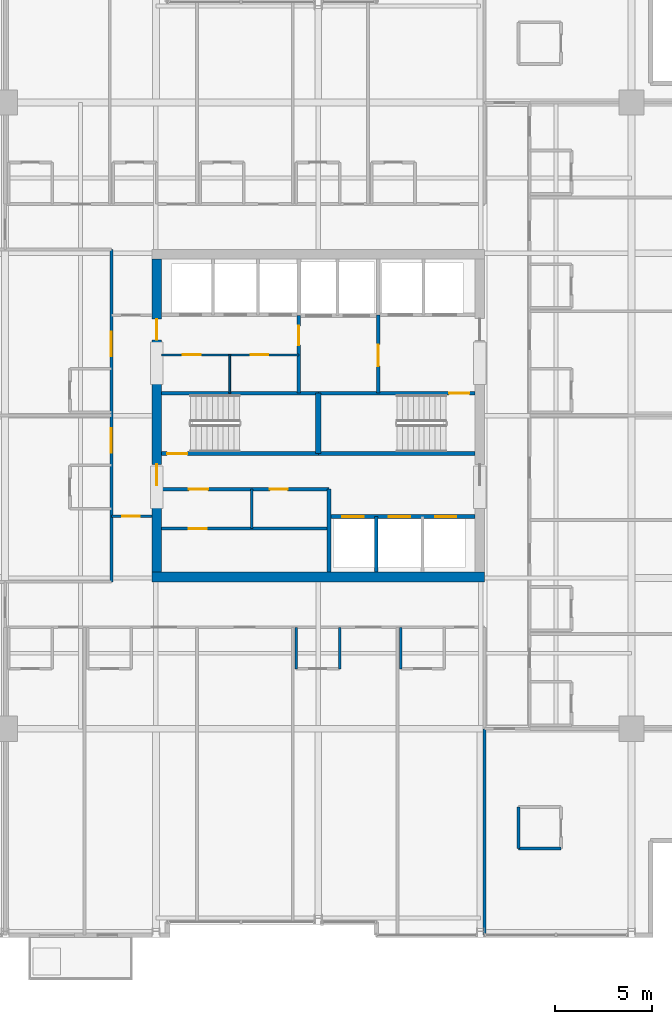
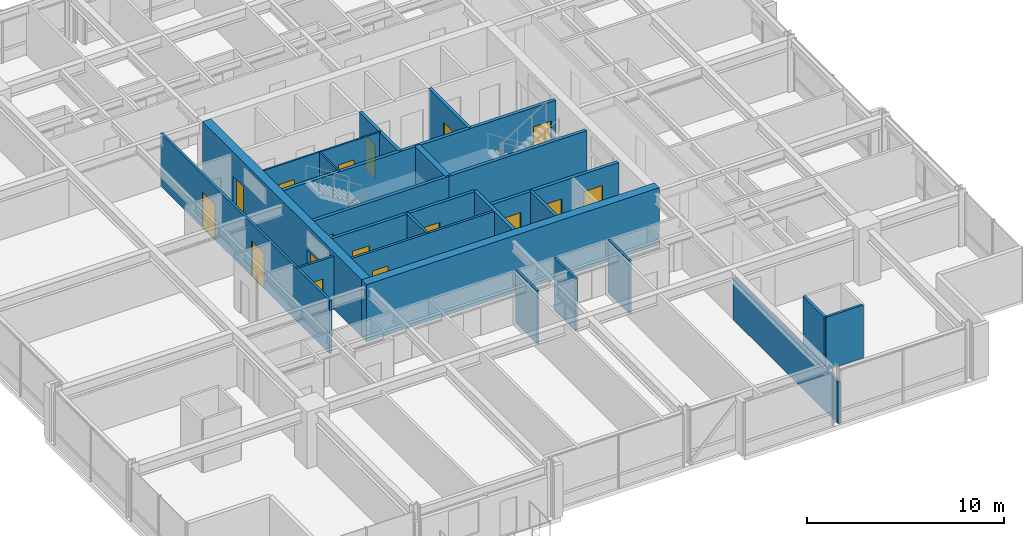
# One storey, part 27 of 33: 25 walls, 17 doors, 17 openings.
"""IFC4 building model written with IfcOpenShell, lengths in metres."""

from ifc_helpers import new_model, si_unit, direction, frame, frame_2d, origin, place, context, subcontext, project, spatial, rectangle, extrude, material, layer, layer_set, type_object, element, fill, save


model = new_model("IFC4")

# Units and contexts
model_context = context("Model", 3, precision=1e-05, world=origin(), true_north=direction((0.0, 1.0)))
body_context = subcontext(model_context, "Body", "Model", "MODEL_VIEW")
ifc_project = project(units=[si_unit("LENGTHUNIT", "METRE"), si_unit("AREAUNIT", "SQUARE_METRE"), si_unit("VOLUMEUNIT", "CUBIC_METRE"), si_unit("PLANEANGLEUNIT", "RADIAN"), si_unit("MASSUNIT", "GRAM", prefix="KILO")], contexts=[model_context])

# Site, building, storey
site_placement = place(None, origin())
site = spatial("IfcSite", under=ifc_project, at=site_placement, CompositionType="ELEMENT")
building_placement = place(site_placement, origin())
building = spatial("IfcBuilding", under=site, at=building_placement, Name="Drelvath Grand Hotel", CompositionType="ELEMENT")
storey_placement = place(building_placement, frame((0.0, 0.0, 153.949951171875)))
storey = spatial("IfcBuildingStorey", under=building, at=storey_placement, Name="L39", CompositionType="ELEMENT", Elevation=153.949951171875)

# Wall, openings, doors
ifc_material_1 = material(Name="Gypsum Partition Board")
ifc_layer_1 = layer(ifc_material_1, 0.10009765625)
ifc_layer_set_1 = layer_set([ifc_layer_1], Name="Gypsum Partition Board")
wall_type_1 = type_object("IfcWallType", Name="Core Closet Partition 100", PredefinedType="PARTITIONING", material=ifc_layer_set_1)
wall_1_placement = place(storey_placement, frame((-8.10009765625, 30.139892578125, 0.0), z_axis=(0.0, 0.0, 1.0), x_axis=(1.0, 0.0, 0.0)))
wall_1 = element("IfcWall", 1, at=wall_1_placement, inside=storey, type_object=wall_type_1, Name="L39 High-Rise Lobby Closet Wall", PredefinedType="PARTITIONING", context=body_context, shape_type="SweptSolid", body=[
    extrude(rectangle(XDim=7.10009765625, YDim=0.10009765625, at=frame_2d((3.550048828125, 0.0))), origin(), (0.0, 0.0, 1.0), 3.2900390625),
])
opening_1_placement = place(wall_1_placement, frame((1.10009765625, 0.0, 0.0)))
opening_1 = element("IfcOpeningElement", 2, at=opening_1_placement, cuts=wall_1, Name="Opening D-T3G1-014", PredefinedType="OPENING", context=body_context, shape_type="SweptSolid", body=[
    extrude(rectangle(XDim=0.919921875, YDim=2.10009765625, at=frame_2d((0.4599609375, 1.050048828125))), frame((0.0, 0.06005859375, 0.0), z_axis=(0.0, -1.0, 0.0), x_axis=(1.0, 0.0, 0.0)), (0.0, 0.0, 1.0), 0.1201171875),
])
opening_2_placement = place(wall_1_placement, frame((4.60009765625, 0.0, 0.0)))
opening_2 = element("IfcOpeningElement", 3, at=opening_2_placement, cuts=wall_1, Name="Opening D-T3G1-015", PredefinedType="OPENING", context=body_context, shape_type="SweptSolid", body=[
    extrude(rectangle(XDim=0.919921875, YDim=2.10009765625, at=frame_2d((0.4599609375, 1.050048828125))), frame((0.0, 0.06005859375, 0.0), z_axis=(0.0, -1.0, 0.0), x_axis=(1.0, 0.0, 0.0)), (0.0, 0.0, 1.0), 0.1201171875),
])
ifc_material_2 = material(Name="Painted Steel S275", Category="steel")
door_type_1 = type_object("IfcDoorType", Name="Staff Utility Door 920x2100", OperationType="NOTDEFINED", PredefinedType="DOOR", material=ifc_material_2)
door_1_placement = place(opening_1_placement, origin())
door_1 = element("IfcDoor", 4, at=door_1_placement, inside=storey, type_object=door_type_1, Name="L39 Electrical Closet Door", OperationType="SINGLE_SWING_LEFT", OverallHeight=2.10009765625, OverallWidth=0.919921875, PredefinedType="DOOR", context=body_context, shape_type="SweptSolid", body=[
    extrude(rectangle(XDim=0.919921875, YDim=2.10009765625, at=frame_2d((0.4599609375, 1.050048828125))), frame((0.0, 0.02490234375, 0.0), z_axis=(0.0, -1.0, 0.0), x_axis=(1.0, 0.0, 0.0)), (0.0, 0.0, 1.0), 0.050048828125),
])
fill(opening_1, door_1)
door_2_placement = place(opening_2_placement, origin())
door_2 = element("IfcDoor", 5, at=door_2_placement, inside=storey, type_object=door_type_1, Name="L39 Telecom Room Door", OperationType="SINGLE_SWING_RIGHT", OverallHeight=2.10009765625, OverallWidth=0.919921875, PredefinedType="DOOR", context=body_context, shape_type="SweptSolid", body=[
    extrude(rectangle(XDim=0.919921875, YDim=2.10009765625, at=frame_2d((0.4599609375, 1.050048828125))), frame((0.0, 0.02490234375, 0.0), z_axis=(0.0, -1.0, 0.0), x_axis=(1.0, 0.0, 0.0)), (0.0, 0.0, 1.0), 0.050048828125),
])
fill(opening_2, door_2)

# Wall
wall_2_placement = place(storey_placement, frame((-4.580078125, 28.159912109375, 0.0), z_axis=(0.0, 0.0, 1.0), x_axis=(0.0, 1.0, 0.0)))
element("IfcWall", 6, at=wall_2_placement, inside=storey, type_object=wall_type_1, Name="L39 Core Closet Split 1", PredefinedType="PARTITIONING", context=body_context, shape_type="SweptSolid", body=[
    extrude(rectangle(XDim=1.97998046875, YDim=0.10009765625, at=frame_2d((0.989990234375, 0.0))), origin(), (0.0, 0.0, 1.0), 3.2900390625),
])

# Wall, openings, doors
ifc_material_3 = material(Name="Concrete C40/50", Category="concrete")
ifc_layer_2 = layer(ifc_material_3, 0.199951171875)
ifc_layer_set_2 = layer_set([ifc_layer_2], Name="Concrete C40/50")
wall_type_2 = type_object("IfcWallType", Name="Core Hoistway Fire Wall 200", PredefinedType="SOLIDWALL", material=ifc_layer_set_2)
wall_3_placement = place(storey_placement, frame((8.10009765625, 21.780029296875, 0.0), z_axis=(0.0, 0.0, 1.0), x_axis=(-1.0, 0.0, 0.0)))
wall_3 = element("IfcWall", 7, at=wall_3_placement, inside=storey, type_object=wall_type_2, Name="L39 Bank 2 Hoistway Wall", PredefinedType="SOLIDWALL", context=body_context, shape_type="SweptSolid", body=[
    extrude(rectangle(XDim=7.550048828125, YDim=0.199951171875, at=frame_2d((3.77490234375, 0.0))), origin(), (0.0, 0.0, 1.0), 3.2900390625),
])
opening_3_placement = place(wall_3_placement, frame((5.75, 0.0, 0.0)))
opening_3 = element("IfcOpeningElement", 8, at=opening_3_placement, cuts=wall_3, Name="Opening LD-PE-4", PredefinedType="OPENING", context=body_context, shape_type="SweptSolid", body=[
    extrude(rectangle(XDim=1.10009765625, YDim=2.199951171875, at=frame_2d((0.550048828125, 1.10009765625))), frame((0.0, 0.10986328125, 0.0), z_axis=(0.0, -1.0, 0.0), x_axis=(1.0, 0.0, 0.0)), (0.0, 0.0, 1.0), 0.219970703125),
])
opening_4_placement = place(wall_3_placement, frame((3.35009765625, 0.0, 0.0)))
opening_4 = element("IfcOpeningElement", 9, at=opening_4_placement, cuts=wall_3, Name="Opening LD-PE-5", PredefinedType="OPENING", context=body_context, shape_type="SweptSolid", body=[
    extrude(rectangle(XDim=1.10009765625, YDim=2.199951171875, at=frame_2d((0.550048828125, 1.10009765625))), frame((0.0, 0.10986328125, 0.0), z_axis=(0.0, -1.0, 0.0), x_axis=(1.0, 0.0, 0.0)), (0.0, 0.0, 1.0), 0.219970703125),
])
opening_5_placement = place(wall_3_placement, frame((0.949951171875, 0.0, 0.0)))
opening_5 = element("IfcOpeningElement", 10, at=opening_5_placement, cuts=wall_3, Name="Opening LD-PE-6", PredefinedType="OPENING", context=body_context, shape_type="SweptSolid", body=[
    extrude(rectangle(XDim=1.10009765625, YDim=2.199951171875, at=frame_2d((0.550048828125, 1.10009765625))), frame((0.0, 0.10986328125, 0.0), z_axis=(0.0, -1.0, 0.0), x_axis=(1.0, 0.0, 0.0)), (0.0, 0.0, 1.0), 0.219970703125),
])
ifc_material_4 = material(Name="Stainless Steel S355", Category="steel")
door_type_2 = type_object("IfcDoorType", Name="Passenger Lift Sliding Landing Door 1100x2200", OperationType="NOTDEFINED", PredefinedType="DOOR", material=ifc_material_4)
door_3_placement = place(opening_3_placement, origin())
door_3 = element("IfcDoor", 11, at=door_3_placement, inside=storey, type_object=door_type_2, Name="L39 Lift PE-4 Landing Door", OperationType="SLIDING_TO_LEFT", OverallHeight=2.199951171875, OverallWidth=1.10009765625, PredefinedType="DOOR", context=body_context, shape_type="SweptSolid", body=[
    extrude(rectangle(XDim=1.10009765625, YDim=2.199951171875, at=frame_2d((0.550048828125, 1.10009765625))), frame((0.0, 0.02490234375, 0.0), z_axis=(0.0, -1.0, 0.0), x_axis=(1.0, 0.0, 0.0)), (0.0, 0.0, 1.0), 0.050048828125),
])
fill(opening_3, door_3)
door_4_placement = place(opening_4_placement, origin())
door_4 = element("IfcDoor", 12, at=door_4_placement, inside=storey, type_object=door_type_2, Name="L39 Lift PE-5 Landing Door", OperationType="SLIDING_TO_LEFT", OverallHeight=2.199951171875, OverallWidth=1.10009765625, PredefinedType="DOOR", context=body_context, shape_type="SweptSolid", body=[
    extrude(rectangle(XDim=1.10009765625, YDim=2.199951171875, at=frame_2d((0.550048828125, 1.10009765625))), frame((0.0, 0.02490234375, 0.0), z_axis=(0.0, -1.0, 0.0), x_axis=(1.0, 0.0, 0.0)), (0.0, 0.0, 1.0), 0.050048828125),
])
fill(opening_4, door_4)
door_5_placement = place(opening_5_placement, origin())
door_5 = element("IfcDoor", 13, at=door_5_placement, inside=storey, type_object=door_type_2, Name="L39 Lift PE-6 Landing Door", OperationType="SLIDING_TO_LEFT", OverallHeight=2.199951171875, OverallWidth=1.10009765625, PredefinedType="DOOR", context=body_context, shape_type="SweptSolid", body=[
    extrude(rectangle(XDim=1.10009765625, YDim=2.199951171875, at=frame_2d((0.550048828125, 1.10009765625))), frame((0.0, 0.02490234375, 0.0), z_axis=(0.0, -1.0, 0.0), x_axis=(1.0, 0.0, 0.0)), (0.0, 0.0, 1.0), 0.050048828125),
])
fill(opening_5, door_5)

# Wall
wall_4_placement = place(storey_placement, frame((0.550048828125, 18.89990234375, 0.0), z_axis=(0.0, 0.0, 1.0), x_axis=(0.0, 1.0, 0.0)))
element("IfcWall", 14, at=wall_4_placement, inside=storey, type_object=wall_type_2, Name="L39 Bank 2 West Wall", PredefinedType="SOLIDWALL", context=body_context, shape_type="SweptSolid", body=[
    extrude(rectangle(XDim=4.300048828125, YDim=0.199951171875, at=frame_2d((2.14990234375, 0.0))), origin(), (0.0, 0.0, 1.0), 3.2900390625),
])

# Wall, opening, door
ifc_layer_3 = layer(ifc_material_3, 0.199951171875)
ifc_layer_set_3 = layer_set([ifc_layer_3], Name="Concrete C40/50")
wall_type_3 = type_object("IfcWallType", Name="Core Shaft Fire Wall 200", PredefinedType="SOLIDWALL", material=ifc_layer_set_3)
wall_5_placement = place(storey_placement, frame((-8.10009765625, 25.0400390625, 0.0), z_axis=(0.0, 0.0, 1.0), x_axis=(1.0, 0.0, 0.0)))
wall_5 = element("IfcWall", 15, at=wall_5_placement, inside=storey, type_object=wall_type_3, Name="L39 Stair ST-1 South Wall", PredefinedType="SOLIDWALL", context=body_context, shape_type="SweptSolid", body=[
    extrude(rectangle(XDim=8.10009765625, YDim=0.199951171875, at=frame_2d((4.050048828125, 0.0))), origin(), (0.0, 0.0, 1.0), 3.2900390625),
])
opening_6_placement = place(wall_5_placement, frame((0.280029296875, 0.0, 0.0)))
opening_6 = element("IfcOpeningElement", 16, at=opening_6_placement, cuts=wall_5, Name="Opening D-T3G1-001", PredefinedType="OPENING", context=body_context, shape_type="SweptSolid", body=[
    extrude(rectangle(XDim=1.050048828125, YDim=2.10009765625, at=frame_2d((0.52490234375, 1.050048828125))), frame((0.0, 0.10986328125, 0.0), z_axis=(0.0, -1.0, 0.0), x_axis=(1.0, 0.0, 0.0)), (0.0, 0.0, 1.0), 0.219970703125),
])
door_type_3 = type_object("IfcDoorType", Name="Tower Stairwell Fire Door 1050x2100", OperationType="NOTDEFINED", PredefinedType="DOOR", material=ifc_material_2)
door_6_placement = place(opening_6_placement, origin())
door_6 = element("IfcDoor", 17, at=door_6_placement, inside=storey, type_object=door_type_3, Name="L39 Exit Stair ST-1 Door", OperationType="SINGLE_SWING_LEFT", OverallHeight=2.10009765625, OverallWidth=1.050048828125, PredefinedType="DOOR", context=body_context, shape_type="SweptSolid", body=[
    extrude(rectangle(XDim=1.050048828125, YDim=2.10009765625, at=frame_2d((0.52490234375, 1.050048828125))), frame((0.0, 0.02490234375, 0.0), z_axis=(0.0, -1.0, 0.0), x_axis=(1.0, 0.0, 0.0)), (0.0, 0.0, 1.0), 0.050048828125),
])
fill(opening_6, door_6)

# Walls
for number, where, z_axis, x_axis, name in (
    (18, (-8.10009765625, 28.159912109375, 0.0), (0.0, 0.0, 1.0), (1.0, 0.0, 0.0), "L39 Stair ST-1 North Wall"),
    (19, (0.0, 25.0400390625, 0.0), (0.0, 0.0, 1.0), (1.0, 0.0, 0.0), "L39 Stair ST-2 South Wall"),
):
    element("IfcWall", number, at=place(storey_placement, frame(where, z_axis=z_axis, x_axis=x_axis)), inside=storey, type_object=wall_type_3, Name=name, PredefinedType="SOLIDWALL", context=body_context, shape_type="SweptSolid", body=[
        extrude(rectangle(XDim=8.10009765625, YDim=0.199951171875, at=frame_2d((4.050048828125, 0.0))), origin(), (0.0, 0.0, 1.0), 3.2900390625),
    ])

# Wall, opening, door
wall_6_placement = place(storey_placement, frame((8.10009765625, 28.159912109375, 0.0), z_axis=(0.0, 0.0, 1.0), x_axis=(-1.0, 0.0, 0.0)))
wall_6 = element("IfcWall", 20, at=wall_6_placement, inside=storey, type_object=wall_type_3, Name="L39 Stair ST-2 North Wall", PredefinedType="SOLIDWALL", context=body_context, shape_type="SweptSolid", body=[
    extrude(rectangle(XDim=8.10009765625, YDim=0.199951171875, at=frame_2d((4.050048828125, 0.0))), origin(), (0.0, 0.0, 1.0), 3.2900390625),
])
opening_7_placement = place(wall_6_placement, frame((0.280029296875, 0.0, 0.0)))
opening_7 = element("IfcOpeningElement", 21, at=opening_7_placement, cuts=wall_6, Name="Opening D-T3G1-002", PredefinedType="OPENING", context=body_context, shape_type="SweptSolid", body=[
    extrude(rectangle(XDim=1.050048828125, YDim=2.10009765625, at=frame_2d((0.52490234375, 1.050048828125))), frame((0.0, 0.10986328125, 0.0), z_axis=(0.0, -1.0, 0.0), x_axis=(1.0, 0.0, 0.0)), (0.0, 0.0, 1.0), 0.219970703125),
])
door_7_placement = place(opening_7_placement, origin())
door_7 = element("IfcDoor", 22, at=door_7_placement, inside=storey, type_object=door_type_3, Name="L39 Exit Stair ST-2 Door", OperationType="SINGLE_SWING_LEFT", OverallHeight=2.10009765625, OverallWidth=1.050048828125, PredefinedType="DOOR", context=body_context, shape_type="SweptSolid", body=[
    extrude(rectangle(XDim=1.050048828125, YDim=2.10009765625, at=frame_2d((0.52490234375, 1.050048828125))), frame((0.0, 0.02490234375, 0.0), z_axis=(0.0, -1.0, 0.0), x_axis=(1.0, 0.0, 0.0)), (0.0, 0.0, 1.0), 0.050048828125),
])
fill(opening_7, door_7)

# Walls
ifc_layer_4 = layer(ifc_material_3, 0.300048828125)
ifc_layer_set_4 = layer_set([ifc_layer_4], Name="Concrete C40/50")
wall_type_4 = type_object("IfcWallType", Name="Core Shaft Fire Wall 300", PredefinedType="SOLIDWALL", material=ifc_layer_set_4)
wall_7_placement = place(storey_placement, frame((0.0, 25.0400390625, 0.0), z_axis=(0.0, 0.0, 1.0), x_axis=(0.0, 1.0, 0.0)))
element("IfcWall", 23, at=wall_7_placement, inside=storey, type_object=wall_type_4, Name="L39 Core Stair Divider Wall", PredefinedType="SOLIDWALL", context=body_context, shape_type="SweptSolid", body=[
    extrude(rectangle(XDim=3.119873046875, YDim=0.300048828125, at=frame_2d((1.56005859375, 0.0))), origin(), (0.0, 0.0, 1.0), 3.2900390625),
])
ifc_material_5 = material(Name="Gypsum Fireboard Partition")
ifc_layer_5 = layer(ifc_material_5, 0.1650390625)
ifc_layer_set_5 = layer_set([ifc_layer_5], Name="Gypsum Fireboard Partition")
wall_type_5 = type_object("IfcWallType", Name="Core Shaft Partition 165", PredefinedType="PARTITIONING", material=ifc_layer_set_5)
wall_8_placement = place(storey_placement, frame((3.0, 18.89990234375, 0.0), z_axis=(0.0, 0.0, 1.0), x_axis=(0.0, 1.0, 0.0)))
element("IfcWall", 24, at=wall_8_placement, inside=storey, type_object=wall_type_5, Name="L39 Lift PE-4/5 Divider", PredefinedType="PARTITIONING", context=body_context, shape_type="SweptSolid", body=[
    extrude(rectangle(XDim=2.880126953125, YDim=0.1650390625, at=frame_2d((1.43994140625, 0.0))), origin(), (0.0, 0.0, 1.0), 3.2900390625),
])

# Wall, opening, door
ifc_layer_6 = layer(ifc_material_5, 0.135009765625)
ifc_layer_set_6 = layer_set([ifc_layer_6], Name="Gypsum Fireboard Partition")
wall_type_6 = type_object("IfcWallType", Name="Corridor Fire Barrier Wall 135", PredefinedType="PARTITIONING", material=ifc_layer_set_6)
wall_9_placement = place(storey_placement, frame((-10.699951171875, 21.800048828125, 0.0), z_axis=(0.0, 0.0, 1.0), x_axis=(1.0, 0.0, 0.0)))
wall_9 = element("IfcWall", 25, at=wall_9_placement, inside=storey, type_object=wall_type_6, Name="L39 West Foyer South Wall", PredefinedType="PARTITIONING", context=body_context, shape_type="SweptSolid", body=[
    extrude(rectangle(XDim=2.099853515625, YDim=0.135009765625, at=frame_2d((1.0498046875, 0.0))), origin(), (0.0, 0.0, 1.0), 3.2900390625),
])
opening_8_placement = place(wall_9_placement, frame((0.550048828125, 0.0, 0.0)))
opening_8 = element("IfcOpeningElement", 26, at=opening_8_placement, cuts=wall_9, Name="Opening D-T3G1-024", PredefinedType="OPENING", context=body_context, shape_type="SweptSolid", body=[
    extrude(rectangle(XDim=0.919921875, YDim=2.10009765625, at=frame_2d((0.4599609375, 1.050048828125))), frame((0.0, 0.077392578125, 0.0), z_axis=(0.0, -1.0, 0.0), x_axis=(1.0, 0.0, 0.0)), (0.0, 0.0, 1.0), 0.155029296875),
])
door_8_placement = place(opening_8_placement, origin())
door_8 = element("IfcDoor", 27, at=door_8_placement, inside=storey, type_object=door_type_1, Name="L39 West Linen Closet Door", OperationType="SINGLE_SWING_RIGHT", OverallHeight=2.10009765625, OverallWidth=0.919921875, PredefinedType="DOOR", context=body_context, shape_type="SweptSolid", body=[
    extrude(rectangle(XDim=0.919921875, YDim=2.10009765625, at=frame_2d((0.4599609375, 1.050048828125))), frame((0.0, 0.02490234375, 0.0), z_axis=(0.0, -1.0, 0.0), x_axis=(1.0, 0.0, 0.0)), (0.0, 0.0, 1.0), 0.050048828125),
])
fill(opening_8, door_8)

# Wall, openings, doors
wall_10_placement = place(storey_placement, frame((-10.699951171875, 18.39990234375, 0.0), z_axis=(0.0, 0.0, 1.0), x_axis=(0.0, 1.0, 0.0)))
wall_10 = element("IfcWall", 28, at=wall_10_placement, inside=storey, type_object=wall_type_6, Name="L39 West Spine Wall", PredefinedType="PARTITIONING", context=body_context, shape_type="SweptSolid", body=[
    extrude(rectangle(XDim=17.2001953125, YDim=0.135009765625, at=frame_2d((8.60009765625, 0.0))), origin(), (0.0, 0.0, 1.0), 3.2900390625),
])
opening_9_placement = place(wall_10_placement, frame((6.68505859375, 0.0, 0.0)))
opening_9 = element("IfcOpeningElement", 29, at=opening_9_placement, cuts=wall_10, Name="Opening D-T3G1-065", PredefinedType="OPENING", context=body_context, shape_type="SweptSolid", body=[
    extrude(rectangle(XDim=1.260009765625, YDim=2.199951171875, at=frame_2d((0.6298828125, 1.10009765625))), frame((0.0, 0.077392578125, 0.0), z_axis=(0.0, -1.0, 0.0), x_axis=(1.0, 0.0, 0.0)), (0.0, 0.0, 1.0), 0.155029296875),
])
opening_10_placement = place(wall_10_placement, frame((11.68505859375, 0.0, 0.0)))
opening_10 = element("IfcOpeningElement", 30, at=opening_10_placement, cuts=wall_10, Name="Opening D-T3G1-067", PredefinedType="OPENING", context=body_context, shape_type="SweptSolid", body=[
    extrude(rectangle(XDim=1.260009765625, YDim=2.199951171875, at=frame_2d((0.6298828125, 1.10009765625))), frame((0.0, 0.077392578125, 0.0), z_axis=(0.0, -1.0, 0.0), x_axis=(1.0, 0.0, 0.0)), (0.0, 0.0, 1.0), 0.155029296875),
])
ifc_material_6 = material(Name="Hardwood Walnut Timber", Category="wood")
door_type_4 = type_object("IfcDoorType", Name="Suite Entrance Fire Door 1260x2200", OperationType="NOTDEFINED", PredefinedType="DOOR", material=ifc_material_6)
door_9_placement = place(opening_9_placement, origin())
door_9 = element("IfcDoor", 31, at=door_9_placement, inside=storey, type_object=door_type_4, Name="L39 Executive Suite Entry Door", OperationType="SINGLE_SWING_LEFT", OverallHeight=2.199951171875, OverallWidth=1.260009765625, PredefinedType="DOOR", context=body_context, shape_type="SweptSolid", body=[
    extrude(rectangle(XDim=1.260009765625, YDim=2.199951171875, at=frame_2d((0.6298828125, 1.10009765625))), frame((0.0, 0.02490234375, 0.0), z_axis=(0.0, -1.0, 0.0), x_axis=(1.0, 0.0, 0.0)), (0.0, 0.0, 1.0), 0.050048828125),
])
fill(opening_9, door_9)
door_10_placement = place(opening_10_placement, origin())
door_10 = element("IfcDoor", 32, at=door_10_placement, inside=storey, type_object=door_type_4, Name="L39 Executive Suite Entry Door", OperationType="SINGLE_SWING_LEFT", OverallHeight=2.199951171875, OverallWidth=1.260009765625, PredefinedType="DOOR", context=body_context, shape_type="SweptSolid", body=[
    extrude(rectangle(XDim=1.260009765625, YDim=2.199951171875, at=frame_2d((0.6298828125, 1.10009765625))), frame((0.0, 0.02490234375, 0.0), z_axis=(0.0, -1.0, 0.0), x_axis=(1.0, 0.0, 0.0)), (0.0, 0.0, 1.0), 0.050048828125),
])
fill(opening_10, door_10)

# Wall, opening, door
ifc_material_7 = material(Name="Moisture-Resistant Gypsum Board")
ifc_layer_7 = layer(ifc_material_7, 0.139892578125)
ifc_layer_set_7 = layer_set([ifc_layer_7], Name="Moisture-Resistant Gypsum Board")
wall_type_7 = type_object("IfcWallType", Name="En-Suite Plumbing Wall 140", PredefinedType="PLUMBINGWALL", material=ifc_layer_set_7)
wall_11_placement = place(storey_placement, frame((-8.10009765625, 21.159912109375, 0.0), z_axis=(0.0, 0.0, 1.0), x_axis=(1.0, 0.0, 0.0)))
wall_11 = element("IfcWall", 33, at=wall_11_placement, inside=storey, type_object=wall_type_7, Name="L39 Reclaimed Horizontal Wall", PredefinedType="PLUMBINGWALL", context=body_context, shape_type="SweptSolid", body=[
    extrude(rectangle(XDim=8.650146484375, YDim=0.139892578125, at=frame_2d((4.3251953125, 0.0))), origin(), (0.0, 0.0, 1.0), 3.2900390625),
])
opening_11_placement = place(wall_11_placement, frame((1.39990234375, 0.0, 0.0)))
opening_11 = element("IfcOpeningElement", 34, at=opening_11_placement, cuts=wall_11, Name="Opening D-T3G1-023", PredefinedType="OPENING", context=body_context, shape_type="SweptSolid", body=[
    extrude(rectangle(XDim=0.919921875, YDim=2.10009765625, at=frame_2d((0.4599609375, 1.050048828125))), frame((0.0, 0.079833984375, 0.0), z_axis=(0.0, -1.0, 0.0), x_axis=(1.0, 0.0, 0.0)), (0.0, 0.0, 1.0), 0.159912109375),
])
door_11_placement = place(opening_11_placement, origin())
door_11 = element("IfcDoor", 35, at=door_11_placement, inside=storey, type_object=door_type_1, Name="L39 Housekeeping Inner Door", OperationType="SINGLE_SWING_LEFT", OverallHeight=2.10009765625, OverallWidth=0.919921875, PredefinedType="DOOR", context=body_context, shape_type="SweptSolid", body=[
    extrude(rectangle(XDim=0.919921875, YDim=2.10009765625, at=frame_2d((0.4599609375, 1.050048828125))), frame((0.0, 0.02490234375, 0.0), z_axis=(0.0, -1.0, 0.0), x_axis=(1.0, 0.0, 0.0)), (0.0, 0.0, 1.0), 0.050048828125),
])
fill(opening_11, door_11)

# Walls
wall_12_placement = place(storey_placement, frame((-3.43994140625, 21.159912109375, 0.0), z_axis=(0.0, 0.0, 1.0), x_axis=(0.0, 1.0, 0.0)))
element("IfcWall", 36, at=wall_12_placement, inside=storey, type_object=wall_type_7, Name="L39 Staff WC Wall", PredefinedType="PLUMBINGWALL", context=body_context, shape_type="SweptSolid", body=[
    extrude(rectangle(XDim=2.0400390625, YDim=0.139892578125, at=frame_2d((1.02001953125, 0.0))), origin(), (0.0, 0.0, 1.0), 3.2900390625),
])
wall_13_placement = place(storey_placement, frame((10.360107421875, 4.60009765625, 0.0), z_axis=(0.0, 0.0, 1.0), x_axis=(1.0, 0.0, 0.0)))
element("IfcWall", 37, at=wall_13_placement, inside=storey, type_object=wall_type_7, Name="L39 Corner En-Suite South", PredefinedType="PLUMBINGWALL", context=body_context, shape_type="SweptSolid", body=[
    extrude(rectangle(XDim=2.199951171875, YDim=0.139892578125, at=frame_2d((1.10009765625, 0.0))), origin(), (0.0, 0.0, 1.0), 3.2900390625),
])
wall_14_placement = place(storey_placement, frame((10.360107421875, 4.60009765625, 0.0), z_axis=(0.0, 0.0, 1.0), x_axis=(0.0, 1.0, 0.0)))
element("IfcWall", 38, at=wall_14_placement, inside=storey, type_object=wall_type_7, Name="L39 Corner En-Suite West", PredefinedType="PLUMBINGWALL", context=body_context, shape_type="SweptSolid", body=[
    extrude(rectangle(XDim=2.14990234375, YDim=0.139892578125, at=frame_2d((1.074951171875, 0.0))), origin(), (0.0, 0.0, 1.0), 3.2900390625),
])
for number, where, z_axis, x_axis, name in (
    (39, (-1.139892578125, 16.050048828125, 0.0), (0.0, 0.0, 1.0), (0.0, -1.0, 0.0), "L39 En-Suite Left Wall"),
    (40, (1.110107421875, 16.050048828125, 0.0), (0.0, 0.0, 1.0), (0.0, -1.0, 0.0), "L39 En-Suite Right Wall"),
    (41, (4.27099609375, 16.050048828125, 0.0), (0.0, 0.0, 1.0), (0.0, -1.0, 0.0), "L39 En-Suite Left Wall"),
):
    element("IfcWall", number, at=place(storey_placement, frame(where, z_axis=z_axis, x_axis=x_axis)), inside=storey, type_object=wall_type_7, Name=name, PredefinedType="PLUMBINGWALL", context=body_context, shape_type="SweptSolid", body=[
        extrude(rectangle(XDim=2.150146484375, YDim=0.139892578125, at=frame_2d((1.0751953125, 0.0))), origin(), (0.0, 0.0, 1.0), 3.2900390625),
    ])

# Wall, opening, door
ifc_layer_8 = layer(ifc_material_5, 0.179931640625)
ifc_layer_set_8 = layer_set([ifc_layer_8], Name="Gypsum Fireboard Partition")
wall_type_8 = type_object("IfcWallType", Name="FSAE Smoke Lobby Fire Wall 180", PredefinedType="SOLIDWALL", material=ifc_layer_set_8)
wall_15_placement = place(storey_placement, frame((3.10009765625, 28.159912109375, 0.0), z_axis=(0.0, 0.0, 1.0), x_axis=(0.0, 1.0, 0.0)))
wall_15 = element("IfcWall", 42, at=wall_15_placement, inside=storey, type_object=wall_type_8, Name="L39 FSAE Smoke Lobby West Wall", PredefinedType="SOLIDWALL", context=body_context, shape_type="SweptSolid", body=[
    extrude(rectangle(XDim=4.06005859375, YDim=0.179931640625, at=frame_2d((2.030029296875, 0.0))), origin(), (0.0, 0.0, 1.0), 3.2900390625),
])
opening_12_placement = place(wall_15_placement, frame((1.39990234375, 0.0, 0.0)))
opening_12 = element("IfcOpeningElement", 43, at=opening_12_placement, cuts=wall_15, Name="Opening D-T3G1-005", PredefinedType="OPENING", context=body_context, shape_type="SweptSolid", body=[
    extrude(rectangle(XDim=1.1201171875, YDim=2.10009765625, at=frame_2d((0.56005859375, 1.050048828125))), frame((0.0, 0.099853515625, 0.0), z_axis=(0.0, -1.0, 0.0), x_axis=(1.0, 0.0, 0.0)), (0.0, 0.0, 1.0), 0.199951171875),
])
door_type_5 = type_object("IfcDoorType", Name="FSAE Smoke Lobby Fire Door 1120x2100", OperationType="NOTDEFINED", PredefinedType="DOOR", material=ifc_material_2)
door_12_placement = place(opening_12_placement, origin())
door_12 = element("IfcDoor", 44, at=door_12_placement, inside=storey, type_object=door_type_5, Name="L39 FSAE Lobby Service Vestibule Door", OperationType="SINGLE_SWING_RIGHT", OverallHeight=2.10009765625, OverallWidth=1.1201171875, PredefinedType="DOOR", context=body_context, shape_type="SweptSolid", body=[
    extrude(rectangle(XDim=1.1201171875, YDim=2.10009765625, at=frame_2d((0.56005859375, 1.050048828125))), frame((0.0, 0.02490234375, 0.0), z_axis=(0.0, -1.0, 0.0), x_axis=(1.0, 0.0, 0.0)), (0.0, 0.0, 1.0), 0.050048828125),
])
fill(opening_12, door_12)

wall_16_placement = place(storey_placement, frame((-1.0, 28.159912109375, 0.0), z_axis=(0.0, 0.0, 1.0), x_axis=(0.0, 1.0, 0.0)))
wall_16 = element("IfcWall", 45, at=wall_16_placement, inside=storey, type_object=wall_type_8, Name="L39 Service Vestibule West Wall", PredefinedType="SOLIDWALL", context=body_context, shape_type="SweptSolid", body=[
    extrude(rectangle(XDim=4.02001953125, YDim=0.179931640625, at=frame_2d((2.010009765625, 0.0))), origin(), (0.0, 0.0, 1.0), 3.2900390625),
])
opening_13_placement = place(wall_16_placement, frame((2.489990234375, 0.0, 0.0)))
opening_13 = element("IfcOpeningElement", 46, at=opening_13_placement, cuts=wall_16, Name="Opening D-T3G1-009", PredefinedType="OPENING", context=body_context, shape_type="SweptSolid", body=[
    extrude(rectangle(XDim=1.0, YDim=2.10009765625, at=frame_2d((0.5, 1.050048828125))), frame((0.0, 0.099853515625, 0.0), z_axis=(0.0, -1.0, 0.0), x_axis=(1.0, 0.0, 0.0)), (0.0, 0.0, 1.0), 0.199951171875),
])
door_type_6 = type_object("IfcDoorType", Name="Core Service Fire Door 1000x2100", OperationType="NOTDEFINED", PredefinedType="DOOR", material=ifc_material_2)
door_13_placement = place(opening_13_placement, origin())
door_13 = element("IfcDoor", 47, at=door_13_placement, inside=storey, type_object=door_type_6, Name="L39 Service Vestibule West Door", OperationType="SINGLE_SWING_LEFT", OverallHeight=2.10009765625, OverallWidth=1.0, PredefinedType="DOOR", context=body_context, shape_type="SweptSolid", body=[
    extrude(rectangle(XDim=1.0, YDim=2.10009765625, at=frame_2d((0.5, 1.050048828125))), frame((0.0, 0.02490234375, 0.0), z_axis=(0.0, -1.0, 0.0), x_axis=(1.0, 0.0, 0.0)), (0.0, 0.0, 1.0), 0.050048828125),
])
fill(opening_13, door_13)

# Wall, openings, doors
wall_17_placement = place(storey_placement, frame((-8.10009765625, 23.199951171875, 0.0), z_axis=(0.0, 0.0, 1.0), x_axis=(1.0, 0.0, 0.0)))
wall_17 = element("IfcWall", 48, at=wall_17_placement, inside=storey, type_object=wall_type_8, Name="L39 Reclaimed Core Room Wall", PredefinedType="SOLIDWALL", context=body_context, shape_type="SweptSolid", body=[
    extrude(rectangle(XDim=8.650146484375, YDim=0.179931640625, at=frame_2d((4.3251953125, 0.0))), origin(), (0.0, 0.0, 1.0), 3.2900390625),
])
opening_14_placement = place(wall_17_placement, frame((1.39990234375, 0.0, 0.0)))
opening_14 = element("IfcOpeningElement", 49, at=opening_14_placement, cuts=wall_17, Name="Opening D-T3G1-021", PredefinedType="OPENING", context=body_context, shape_type="SweptSolid", body=[
    extrude(rectangle(XDim=1.0, YDim=2.10009765625, at=frame_2d((0.5, 1.050048828125))), frame((0.0, 0.099853515625, 0.0), z_axis=(0.0, -1.0, 0.0), x_axis=(1.0, 0.0, 0.0)), (0.0, 0.0, 1.0), 0.199951171875),
])
opening_15_placement = place(wall_17_placement, frame((5.60009765625, 0.0, 0.0)))
opening_15 = element("IfcOpeningElement", 50, at=opening_15_placement, cuts=wall_17, Name="Opening D-T3G1-022", PredefinedType="OPENING", context=body_context, shape_type="SweptSolid", body=[
    extrude(rectangle(XDim=0.919921875, YDim=2.10009765625, at=frame_2d((0.4599609375, 1.050048828125))), frame((0.0, 0.099853515625, 0.0), z_axis=(0.0, -1.0, 0.0), x_axis=(1.0, 0.0, 0.0)), (0.0, 0.0, 1.0), 0.199951171875),
])
door_14_placement = place(opening_14_placement, origin())
door_14 = element("IfcDoor", 51, at=door_14_placement, inside=storey, type_object=door_type_6, Name="L39 Valet Room Door", OperationType="SINGLE_SWING_LEFT", OverallHeight=2.10009765625, OverallWidth=1.0, PredefinedType="DOOR", context=body_context, shape_type="SweptSolid", body=[
    extrude(rectangle(XDim=1.0, YDim=2.10009765625, at=frame_2d((0.5, 1.050048828125))), frame((0.0, 0.02490234375, 0.0), z_axis=(0.0, -1.0, 0.0), x_axis=(1.0, 0.0, 0.0)), (0.0, 0.0, 1.0), 0.050048828125),
])
fill(opening_14, door_14)
door_15_placement = place(opening_15_placement, origin())
door_15 = element("IfcDoor", 52, at=door_15_placement, inside=storey, type_object=door_type_6, Name="L39 Staff WC Door", OperationType="SINGLE_SWING_RIGHT", OverallHeight=2.10009765625, OverallWidth=0.919921875, PredefinedType="DOOR", context=body_context, shape_type="SweptSolid", body=[
    extrude(rectangle(XDim=0.919921875, YDim=2.10009765625, at=frame_2d((0.4599609375, 1.050048828125))), frame((0.0, 0.02490234375, 0.0), z_axis=(0.0, -1.0, 0.0), x_axis=(1.0, 0.0, 0.0)), (0.0, 0.0, 1.0), 0.050048828125),
])
fill(opening_15, door_15)

# Walls
ifc_material_8 = material(Name="Gypsum Acoustic Partition")
ifc_layer_9 = layer(ifc_material_8, 0.1650390625)
ifc_layer_set_9 = layer_set([ifc_layer_9], Name="Gypsum Acoustic Partition")
wall_type_9 = type_object("IfcWallType", Name="Suite Demising Wall 165", PredefinedType="PARTITIONING", material=ifc_layer_set_9)
wall_18_placement = place(storey_placement, frame((8.60009765625, 0.1201171875, 0.0), z_axis=(0.0, 0.0, 1.0), x_axis=(0.0, 1.0, 0.0)))
element("IfcWall", 53, at=wall_18_placement, inside=storey, type_object=wall_type_9, Name="L39 SE Suite West Wall", PredefinedType="PARTITIONING", context=body_context, shape_type="SweptSolid", body=[
    extrude(rectangle(XDim=10.679931640625, YDim=0.1650390625, at=frame_2d((5.33984375, 0.0))), origin(), (0.0, 0.0, 1.0), 2.57958984375),
])
ifc_material_9 = material(Name="Concrete f'c 55 MPa", Category="concrete")
ifc_layer_10 = layer(ifc_material_9, 0.5)
ifc_layer_set_10 = layer_set([ifc_layer_10], Name="Concrete f'c 55 MPa")
wall_type_10 = type_object("IfcWallType", Name="Upper Core RC Shear Wall 500", PredefinedType="SHEAR", material=ifc_layer_set_10)
wall_19_placement = place(storey_placement, frame((8.60009765625, 18.64990234375, 0.0), z_axis=(0.0, 0.0, 1.0), x_axis=(-1.0, 0.0, 0.0)))
element("IfcWall", 54, at=wall_19_placement, inside=storey, type_object=wall_type_10, Name="L39 Central Core Shear Wall S", PredefinedType="SHEAR", context=body_context, shape_type="SweptSolid", body=[
    extrude(rectangle(XDim=17.2001953125, YDim=0.5, at=frame_2d((8.60009765625, 0.0))), origin(), (0.0, 0.0, 1.0), 3.550048828125),
])

# Wall, openings, doors
wall_20_placement = place(storey_placement, frame((-8.35009765625, 18.89990234375, 0.0), z_axis=(0.0, 0.0, 1.0), x_axis=(0.0, 1.0, 0.0)))
wall_20 = element("IfcWall", 55, at=wall_20_placement, inside=storey, type_object=wall_type_10, Name="L39 Central Core Shear Wall W", PredefinedType="SHEAR", context=body_context, shape_type="SweptSolid", body=[
    extrude(rectangle(XDim=16.2001953125, YDim=0.5, at=frame_2d((8.10009765625, 0.0))), origin(), (0.0, 0.0, 1.0), 3.550048828125),
])
opening_16_placement = place(wall_20_placement, frame((12.02001953125, 0.0, 0.0)))
opening_16 = element("IfcOpeningElement", 56, at=opening_16_placement, cuts=wall_20, Name="Opening D-T3G1-013", PredefinedType="OPENING", context=body_context, shape_type="SweptSolid", body=[
    extrude(rectangle(XDim=1.080078125, YDim=2.0400390625, at=frame_2d((0.5400390625, 1.02001953125))), frame((0.0, 0.260009765625, 0.0), z_axis=(0.0, -1.0, 0.0), x_axis=(1.0, 0.0, 0.0)), (0.0, 0.0, 1.0), 0.52001953125),
])
opening_17_placement = place(wall_20_placement, frame((4.5, 0.0, 0.0)))
opening_17 = element("IfcOpeningElement", 57, at=opening_17_placement, cuts=wall_20, Name="Opening D-T3G1-019", PredefinedType="OPENING", context=body_context, shape_type="SweptSolid", body=[
    extrude(rectangle(XDim=1.080078125, YDim=2.0400390625, at=frame_2d((0.5400390625, 1.02001953125))), frame((0.0, 0.260009765625, 0.0), z_axis=(0.0, -1.0, 0.0), x_axis=(1.0, 0.0, 0.0)), (0.0, 0.0, 1.0), 0.52001953125),
])
door_type_7 = type_object("IfcDoorType", Name="Core Corridor Fire Door 1080x2100", OperationType="NOTDEFINED", PredefinedType="DOOR", material=ifc_material_2)
door_16_placement = place(opening_16_placement, origin())
door_16 = element("IfcDoor", 58, at=door_16_placement, inside=storey, type_object=door_type_7, Name="L39 High-Rise Lift Lobby West Door", OperationType="SINGLE_SWING_RIGHT", OverallHeight=2.0400390625, OverallWidth=1.080078125, PredefinedType="DOOR", context=body_context, shape_type="SweptSolid", body=[
    extrude(rectangle(XDim=1.080078125, YDim=2.0400390625, at=frame_2d((0.5400390625, 1.02001953125))), frame((0.0, 0.02490234375, 0.0), z_axis=(0.0, -1.0, 0.0), x_axis=(1.0, 0.0, 0.0)), (0.0, 0.0, 1.0), 0.050048828125),
])
fill(opening_16, door_16)
door_17_placement = place(opening_17_placement, origin())
door_17 = element("IfcDoor", 59, at=door_17_placement, inside=storey, type_object=door_type_7, Name="L39 Mid-Rise Lobby West Door", OperationType="SINGLE_SWING_LEFT", OverallHeight=2.0400390625, OverallWidth=1.080078125, PredefinedType="DOOR", context=body_context, shape_type="SweptSolid", body=[
    extrude(rectangle(XDim=1.080078125, YDim=2.0400390625, at=frame_2d((0.5400390625, 1.02001953125))), frame((0.0, 0.02490234375, 0.0), z_axis=(0.0, -1.0, 0.0), x_axis=(1.0, 0.0, 0.0)), (0.0, 0.0, 1.0), 0.050048828125),
])
fill(opening_17, door_17)

save(model, "model.ifc")
